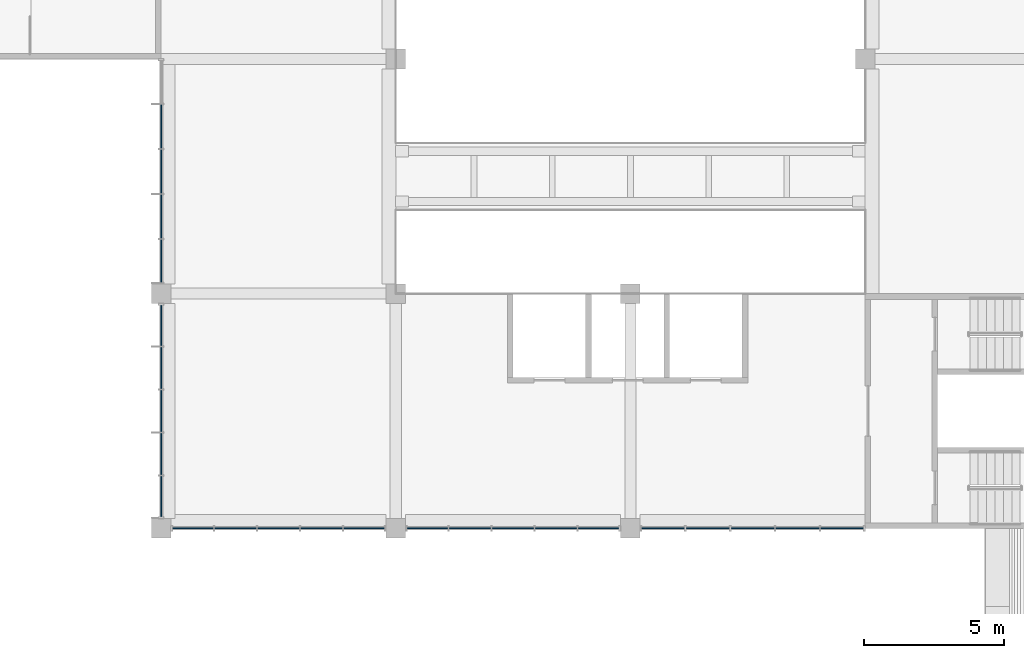
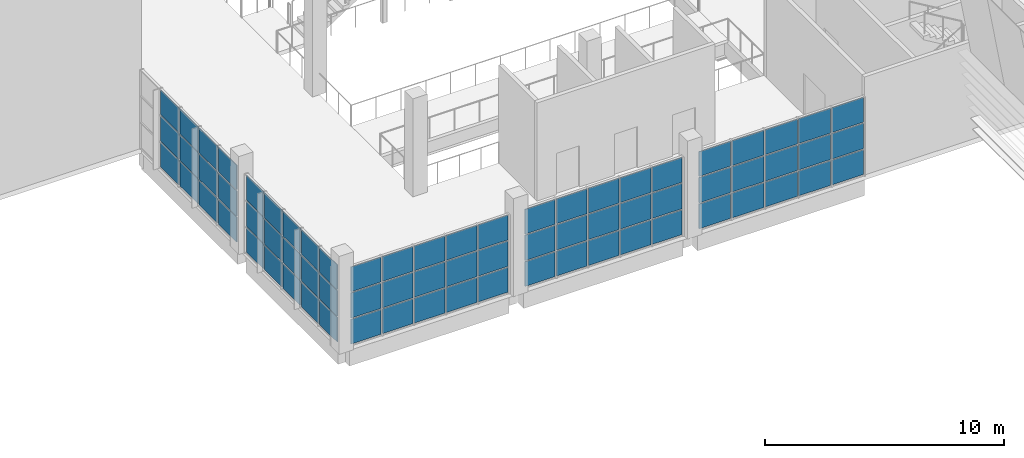
# One storey, part 13 of 82: 72 plates, 5 elements without a shape of their own.
"""IFC4 building model written with IfcOpenShell, lengths in metres."""

from ifc_helpers import new_model, si_unit, direction, frame, origin, origin_2d, place, context, subcontext, project, spatial, rectangle, extrude, material, layer, layer_set, type_object, element, aggregate, save


model = new_model("IFC4")

# Units and contexts
model_context = context("Model", 3, precision=1e-05, world=origin(), true_north=direction((0.0, 1.0)))
body_context = subcontext(model_context, "Body", "Model", "MODEL_VIEW")
ifc_project = project(units=[si_unit("LENGTHUNIT", "METRE"), si_unit("AREAUNIT", "SQUARE_METRE"), si_unit("VOLUMEUNIT", "CUBIC_METRE"), si_unit("PLANEANGLEUNIT", "RADIAN"), si_unit("MASSUNIT", "GRAM", prefix="KILO")], contexts=[model_context])

# Site, building, storey
site_placement = place(None, origin())
site = spatial("IfcSite", under=ifc_project, at=site_placement, CompositionType="ELEMENT")
building_placement = place(site_placement, origin())
building = spatial("IfcBuilding", under=site, at=building_placement, Name="Almond Square Museum", CompositionType="ELEMENT")
storey_placement = place(building_placement, frame((0.0, 0.0, 20.0)))
storey = spatial("IfcBuildingStorey", under=building, at=storey_placement, Name="L03", CompositionType="ELEMENT", Elevation=20.0)

# Curtain wall, plates
ifc_material_1 = material(Name="Aluminium and laminated glass", Category="aluminium")
curtain_wall_type = type_object("IfcCurtainWallType", Name="Unitised curtain wall 1500 module", PredefinedType="NOTDEFINED", material=ifc_material_1)
curtain_wall_1_placement = place(storey_placement, origin())
curtain_wall_1 = element("IfcCurtainWall", 1, at=curtain_wall_1_placement, inside=storey, type_object=curtain_wall_type, Name="Curtain wall CW-35", PredefinedType="NOTDEFINED")
ifc_material_2 = material(Name="Laminated hurricane-rated glass", Category="glass")
ifc_layer = layer(ifc_material_2, 0.035888671875)
ifc_layer_set = layer_set([ifc_layer], Name="Laminated hurricane-rated glass")
plate_type = type_object("IfcPlateType", Name="Laminated glass panel 36", PredefinedType="CURTAIN_PANEL", material=ifc_layer_set)
plate_1_placement = place(storey_placement, frame((73.199951171875, 76.77001953125, 0.06005859375), z_axis=(0.0, 0.0, 1.0), x_axis=(0.0, 1.0, 0.0)))
plate_1 = element("IfcPlate", 2, at=plate_1_placement, type_object=plate_type, Name="CW-35 panel 1.1", PredefinedType="CURTAIN_PANEL", context=body_context, shape_type="SweptSolid", body=[
    extrude(rectangle(XDim=1.52001953125, YDim=0.035888671875, at=origin_2d()), origin(), (0.0, 0.0, 1.0), 1.260009765625),
])
plate_2_placement = place(storey_placement, frame((73.199951171875, 76.77001953125, 1.3798828125), z_axis=(0.0, 0.0, 1.0), x_axis=(0.0, 1.0, 0.0)))
plate_2 = element("IfcPlate", 3, at=plate_2_placement, type_object=plate_type, Name="CW-35 panel 1.2", PredefinedType="CURTAIN_PANEL", context=body_context, shape_type="SweptSolid", body=[
    extrude(rectangle(XDim=1.52001953125, YDim=0.035888671875, at=origin_2d()), origin(), (0.0, 0.0, 1.0), 1.2900390625),
])
plate_3_placement = place(storey_placement, frame((73.199951171875, 76.77001953125, 2.72998046875), z_axis=(0.0, 0.0, 1.0), x_axis=(0.0, 1.0, 0.0)))
plate_3 = element("IfcPlate", 4, at=plate_3_placement, type_object=plate_type, Name="CW-35 panel 1.3", PredefinedType="CURTAIN_PANEL", context=body_context, shape_type="SweptSolid", body=[
    extrude(rectangle(XDim=1.52001953125, YDim=0.035888671875, at=origin_2d()), origin(), (0.0, 0.0, 1.0), 1.260009765625),
])
plate_4_placement = place(storey_placement, frame((73.199951171875, 78.364990234375, 0.06005859375), z_axis=(0.0, 0.0, 1.0), x_axis=(0.0, 1.0, 0.0)))
plate_4 = element("IfcPlate", 5, at=plate_4_placement, type_object=plate_type, Name="CW-35 panel 2.1", PredefinedType="CURTAIN_PANEL", context=body_context, shape_type="SweptSolid", body=[
    extrude(rectangle(XDim=1.550048828125, YDim=0.035888671875, at=origin_2d()), origin(), (0.0, 0.0, 1.0), 1.260009765625),
])
plate_5_placement = place(storey_placement, frame((73.199951171875, 78.364990234375, 1.3798828125), z_axis=(0.0, 0.0, 1.0), x_axis=(0.0, 1.0, 0.0)))
plate_5 = element("IfcPlate", 6, at=plate_5_placement, type_object=plate_type, Name="CW-35 panel 2.2", PredefinedType="CURTAIN_PANEL", context=body_context, shape_type="SweptSolid", body=[
    extrude(rectangle(XDim=1.550048828125, YDim=0.035888671875, at=origin_2d()), origin(), (0.0, 0.0, 1.0), 1.2900390625),
])
plate_6_placement = place(storey_placement, frame((73.199951171875, 78.364990234375, 2.72998046875), z_axis=(0.0, 0.0, 1.0), x_axis=(0.0, 1.0, 0.0)))
plate_6 = element("IfcPlate", 7, at=plate_6_placement, type_object=plate_type, Name="CW-35 panel 2.3", PredefinedType="CURTAIN_PANEL", context=body_context, shape_type="SweptSolid", body=[
    extrude(rectangle(XDim=1.550048828125, YDim=0.035888671875, at=origin_2d()), origin(), (0.0, 0.0, 1.0), 1.260009765625),
])
plate_7_placement = place(storey_placement, frame((73.199951171875, 79.97509765625, 0.06005859375), z_axis=(0.0, 0.0, 1.0), x_axis=(0.0, 1.0, 0.0)))
plate_7 = element("IfcPlate", 8, at=plate_7_placement, type_object=plate_type, Name="CW-35 panel 3.1", PredefinedType="CURTAIN_PANEL", context=body_context, shape_type="SweptSolid", body=[
    extrude(rectangle(XDim=1.550048828125, YDim=0.035888671875, at=origin_2d()), origin(), (0.0, 0.0, 1.0), 1.260009765625),
])
plate_8_placement = place(storey_placement, frame((73.199951171875, 79.97509765625, 1.3798828125), z_axis=(0.0, 0.0, 1.0), x_axis=(0.0, 1.0, 0.0)))
plate_8 = element("IfcPlate", 9, at=plate_8_placement, type_object=plate_type, Name="CW-35 panel 3.2", PredefinedType="CURTAIN_PANEL", context=body_context, shape_type="SweptSolid", body=[
    extrude(rectangle(XDim=1.550048828125, YDim=0.035888671875, at=origin_2d()), origin(), (0.0, 0.0, 1.0), 1.2900390625),
])
plate_9_placement = place(storey_placement, frame((73.199951171875, 79.97509765625, 2.72998046875), z_axis=(0.0, 0.0, 1.0), x_axis=(0.0, 1.0, 0.0)))
plate_9 = element("IfcPlate", 10, at=plate_9_placement, type_object=plate_type, Name="CW-35 panel 3.3", PredefinedType="CURTAIN_PANEL", context=body_context, shape_type="SweptSolid", body=[
    extrude(rectangle(XDim=1.550048828125, YDim=0.035888671875, at=origin_2d()), origin(), (0.0, 0.0, 1.0), 1.260009765625),
])
plate_10_placement = place(storey_placement, frame((73.199951171875, 81.5849609375, 0.06005859375), z_axis=(0.0, 0.0, 1.0), x_axis=(0.0, 1.0, 0.0)))
plate_10 = element("IfcPlate", 11, at=plate_10_placement, type_object=plate_type, Name="CW-35 panel 4.1", PredefinedType="CURTAIN_PANEL", context=body_context, shape_type="SweptSolid", body=[
    extrude(rectangle(XDim=1.550048828125, YDim=0.035888671875, at=origin_2d()), origin(), (0.0, 0.0, 1.0), 1.260009765625),
])
plate_11_placement = place(storey_placement, frame((73.199951171875, 81.5849609375, 1.3798828125), z_axis=(0.0, 0.0, 1.0), x_axis=(0.0, 1.0, 0.0)))
plate_11 = element("IfcPlate", 12, at=plate_11_placement, type_object=plate_type, Name="CW-35 panel 4.2", PredefinedType="CURTAIN_PANEL", context=body_context, shape_type="SweptSolid", body=[
    extrude(rectangle(XDim=1.550048828125, YDim=0.035888671875, at=origin_2d()), origin(), (0.0, 0.0, 1.0), 1.2900390625),
])
plate_12_placement = place(storey_placement, frame((73.199951171875, 81.5849609375, 2.72998046875), z_axis=(0.0, 0.0, 1.0), x_axis=(0.0, 1.0, 0.0)))
plate_12 = element("IfcPlate", 13, at=plate_12_placement, type_object=plate_type, Name="CW-35 panel 4.3", PredefinedType="CURTAIN_PANEL", context=body_context, shape_type="SweptSolid", body=[
    extrude(rectangle(XDim=1.550048828125, YDim=0.035888671875, at=origin_2d()), origin(), (0.0, 0.0, 1.0), 1.260009765625),
])
aggregate(curtain_wall_1, [plate_1, plate_2, plate_3, plate_4, plate_5, plate_6, plate_7, plate_8, plate_9, plate_10, plate_11, plate_12])

curtain_wall_2_placement = place(storey_placement, origin())
curtain_wall_2 = element("IfcCurtainWall", 14, at=curtain_wall_2_placement, inside=storey, type_object=curtain_wall_type, Name="Curtain wall CW-36", PredefinedType="NOTDEFINED")
plate_13_placement = place(storey_placement, frame((73.199951171875, 68.3349609375, 0.06005859375), z_axis=(0.0, 0.0, 1.0), x_axis=(0.0, 1.0, 0.0)))
plate_13 = element("IfcPlate", 15, at=plate_13_placement, type_object=plate_type, Name="CW-36 panel 1.1", PredefinedType="CURTAIN_PANEL", context=body_context, shape_type="SweptSolid", body=[
    extrude(rectangle(XDim=1.449951171875, YDim=0.035888671875, at=origin_2d()), origin(), (0.0, 0.0, 1.0), 1.260009765625),
])
plate_14_placement = place(storey_placement, frame((73.199951171875, 68.3349609375, 1.3798828125), z_axis=(0.0, 0.0, 1.0), x_axis=(0.0, 1.0, 0.0)))
plate_14 = element("IfcPlate", 16, at=plate_14_placement, type_object=plate_type, Name="CW-36 panel 1.2", PredefinedType="CURTAIN_PANEL", context=body_context, shape_type="SweptSolid", body=[
    extrude(rectangle(XDim=1.449951171875, YDim=0.035888671875, at=origin_2d()), origin(), (0.0, 0.0, 1.0), 1.2900390625),
])
plate_15_placement = place(storey_placement, frame((73.199951171875, 68.3349609375, 2.72998046875), z_axis=(0.0, 0.0, 1.0), x_axis=(0.0, 1.0, 0.0)))
plate_15 = element("IfcPlate", 17, at=plate_15_placement, type_object=plate_type, Name="CW-36 panel 1.3", PredefinedType="CURTAIN_PANEL", context=body_context, shape_type="SweptSolid", body=[
    extrude(rectangle(XDim=1.449951171875, YDim=0.035888671875, at=origin_2d()), origin(), (0.0, 0.0, 1.0), 1.260009765625),
])
plate_16_placement = place(storey_placement, frame((73.199951171875, 69.860107421875, 0.06005859375), z_axis=(0.0, 0.0, 1.0), x_axis=(0.0, 1.0, 0.0)))
plate_16 = element("IfcPlate", 18, at=plate_16_placement, type_object=plate_type, Name="CW-36 panel 2.1", PredefinedType="CURTAIN_PANEL", context=body_context, shape_type="SweptSolid", body=[
    extrude(rectangle(XDim=1.47998046875, YDim=0.035888671875, at=origin_2d()), origin(), (0.0, 0.0, 1.0), 1.260009765625),
])
plate_17_placement = place(storey_placement, frame((73.199951171875, 69.860107421875, 1.3798828125), z_axis=(0.0, 0.0, 1.0), x_axis=(0.0, 1.0, 0.0)))
plate_17 = element("IfcPlate", 19, at=plate_17_placement, type_object=plate_type, Name="CW-36 panel 2.2", PredefinedType="CURTAIN_PANEL", context=body_context, shape_type="SweptSolid", body=[
    extrude(rectangle(XDim=1.47998046875, YDim=0.035888671875, at=origin_2d()), origin(), (0.0, 0.0, 1.0), 1.2900390625),
])
plate_18_placement = place(storey_placement, frame((73.199951171875, 69.860107421875, 2.72998046875), z_axis=(0.0, 0.0, 1.0), x_axis=(0.0, 1.0, 0.0)))
plate_18 = element("IfcPlate", 20, at=plate_18_placement, type_object=plate_type, Name="CW-36 panel 2.3", PredefinedType="CURTAIN_PANEL", context=body_context, shape_type="SweptSolid", body=[
    extrude(rectangle(XDim=1.47998046875, YDim=0.035888671875, at=origin_2d()), origin(), (0.0, 0.0, 1.0), 1.260009765625),
])
plate_19_placement = place(storey_placement, frame((73.199951171875, 71.39990234375, 0.06005859375), z_axis=(0.0, 0.0, 1.0), x_axis=(0.0, 1.0, 0.0)))
plate_19 = element("IfcPlate", 21, at=plate_19_placement, type_object=plate_type, Name="CW-36 panel 3.1", PredefinedType="CURTAIN_PANEL", context=body_context, shape_type="SweptSolid", body=[
    extrude(rectangle(XDim=1.47998046875, YDim=0.035888671875, at=origin_2d()), origin(), (0.0, 0.0, 1.0), 1.260009765625),
])
plate_20_placement = place(storey_placement, frame((73.199951171875, 71.39990234375, 1.3798828125), z_axis=(0.0, 0.0, 1.0), x_axis=(0.0, 1.0, 0.0)))
plate_20 = element("IfcPlate", 22, at=plate_20_placement, type_object=plate_type, Name="CW-36 panel 3.2", PredefinedType="CURTAIN_PANEL", context=body_context, shape_type="SweptSolid", body=[
    extrude(rectangle(XDim=1.47998046875, YDim=0.035888671875, at=origin_2d()), origin(), (0.0, 0.0, 1.0), 1.2900390625),
])
plate_21_placement = place(storey_placement, frame((73.199951171875, 71.39990234375, 2.72998046875), z_axis=(0.0, 0.0, 1.0), x_axis=(0.0, 1.0, 0.0)))
plate_21 = element("IfcPlate", 23, at=plate_21_placement, type_object=plate_type, Name="CW-36 panel 3.3", PredefinedType="CURTAIN_PANEL", context=body_context, shape_type="SweptSolid", body=[
    extrude(rectangle(XDim=1.47998046875, YDim=0.035888671875, at=origin_2d()), origin(), (0.0, 0.0, 1.0), 1.260009765625),
])
plate_22_placement = place(storey_placement, frame((73.199951171875, 72.93994140625, 0.06005859375), z_axis=(0.0, 0.0, 1.0), x_axis=(0.0, 1.0, 0.0)))
plate_22 = element("IfcPlate", 24, at=plate_22_placement, type_object=plate_type, Name="CW-36 panel 4.1", PredefinedType="CURTAIN_PANEL", context=body_context, shape_type="SweptSolid", body=[
    extrude(rectangle(XDim=1.47998046875, YDim=0.035888671875, at=origin_2d()), origin(), (0.0, 0.0, 1.0), 1.260009765625),
])
plate_23_placement = place(storey_placement, frame((73.199951171875, 72.93994140625, 1.3798828125), z_axis=(0.0, 0.0, 1.0), x_axis=(0.0, 1.0, 0.0)))
plate_23 = element("IfcPlate", 25, at=plate_23_placement, type_object=plate_type, Name="CW-36 panel 4.2", PredefinedType="CURTAIN_PANEL", context=body_context, shape_type="SweptSolid", body=[
    extrude(rectangle(XDim=1.47998046875, YDim=0.035888671875, at=origin_2d()), origin(), (0.0, 0.0, 1.0), 1.2900390625),
])
plate_24_placement = place(storey_placement, frame((73.199951171875, 72.93994140625, 2.72998046875), z_axis=(0.0, 0.0, 1.0), x_axis=(0.0, 1.0, 0.0)))
plate_24 = element("IfcPlate", 26, at=plate_24_placement, type_object=plate_type, Name="CW-36 panel 4.3", PredefinedType="CURTAIN_PANEL", context=body_context, shape_type="SweptSolid", body=[
    extrude(rectangle(XDim=1.47998046875, YDim=0.035888671875, at=origin_2d()), origin(), (0.0, 0.0, 1.0), 1.260009765625),
])
plate_25_placement = place(storey_placement, frame((73.199951171875, 74.465087890625, 0.06005859375), z_axis=(0.0, 0.0, 1.0), x_axis=(0.0, 1.0, 0.0)))
plate_25 = element("IfcPlate", 27, at=plate_25_placement, type_object=plate_type, Name="CW-36 panel 5.1", PredefinedType="CURTAIN_PANEL", context=body_context, shape_type="SweptSolid", body=[
    extrude(rectangle(XDim=1.449951171875, YDim=0.035888671875, at=origin_2d()), origin(), (0.0, 0.0, 1.0), 1.260009765625),
])
plate_26_placement = place(storey_placement, frame((73.199951171875, 74.465087890625, 1.3798828125), z_axis=(0.0, 0.0, 1.0), x_axis=(0.0, 1.0, 0.0)))
plate_26 = element("IfcPlate", 28, at=plate_26_placement, type_object=plate_type, Name="CW-36 panel 5.2", PredefinedType="CURTAIN_PANEL", context=body_context, shape_type="SweptSolid", body=[
    extrude(rectangle(XDim=1.449951171875, YDim=0.035888671875, at=origin_2d()), origin(), (0.0, 0.0, 1.0), 1.2900390625),
])
plate_27_placement = place(storey_placement, frame((73.199951171875, 74.465087890625, 2.72998046875), z_axis=(0.0, 0.0, 1.0), x_axis=(0.0, 1.0, 0.0)))
plate_27 = element("IfcPlate", 29, at=plate_27_placement, type_object=plate_type, Name="CW-36 panel 5.3", PredefinedType="CURTAIN_PANEL", context=body_context, shape_type="SweptSolid", body=[
    extrude(rectangle(XDim=1.449951171875, YDim=0.035888671875, at=origin_2d()), origin(), (0.0, 0.0, 1.0), 1.260009765625),
])
aggregate(curtain_wall_2, [plate_13, plate_14, plate_15, plate_16, plate_17, plate_18, plate_19, plate_20, plate_21, plate_22, plate_23, plate_24, plate_25, plate_26, plate_27])

curtain_wall_3_placement = place(storey_placement, origin())
curtain_wall_3 = element("IfcCurtainWall", 30, at=curtain_wall_3_placement, inside=storey, type_object=curtain_wall_type, Name="Curtain wall CW-37", PredefinedType="NOTDEFINED")
plate_28_placement = place(storey_placement, frame((74.3349609375, 67.199951171875, 0.06005859375), z_axis=(0.0, 0.0, 1.0), x_axis=(1.0, 0.0, 0.0)))
plate_28 = element("IfcPlate", 31, at=plate_28_placement, type_object=plate_type, Name="CW-37 panel 1.1", PredefinedType="CURTAIN_PANEL", context=body_context, shape_type="SweptSolid", body=[
    extrude(rectangle(XDim=1.449951171875, YDim=0.035888671875, at=origin_2d()), origin(), (0.0, 0.0, 1.0), 1.260009765625),
])
plate_29_placement = place(storey_placement, frame((74.3349609375, 67.199951171875, 1.3798828125), z_axis=(0.0, 0.0, 1.0), x_axis=(1.0, 0.0, 0.0)))
plate_29 = element("IfcPlate", 32, at=plate_29_placement, type_object=plate_type, Name="CW-37 panel 1.2", PredefinedType="CURTAIN_PANEL", context=body_context, shape_type="SweptSolid", body=[
    extrude(rectangle(XDim=1.449951171875, YDim=0.035888671875, at=origin_2d()), origin(), (0.0, 0.0, 1.0), 1.2900390625),
])
plate_30_placement = place(storey_placement, frame((74.3349609375, 67.199951171875, 2.72998046875), z_axis=(0.0, 0.0, 1.0), x_axis=(1.0, 0.0, 0.0)))
plate_30 = element("IfcPlate", 33, at=plate_30_placement, type_object=plate_type, Name="CW-37 panel 1.3", PredefinedType="CURTAIN_PANEL", context=body_context, shape_type="SweptSolid", body=[
    extrude(rectangle(XDim=1.449951171875, YDim=0.035888671875, at=origin_2d()), origin(), (0.0, 0.0, 1.0), 1.260009765625),
])
plate_31_placement = place(storey_placement, frame((75.860107421875, 67.199951171875, 0.06005859375), z_axis=(0.0, 0.0, 1.0), x_axis=(1.0, 0.0, 0.0)))
plate_31 = element("IfcPlate", 34, at=plate_31_placement, type_object=plate_type, Name="CW-37 panel 2.1", PredefinedType="CURTAIN_PANEL", context=body_context, shape_type="SweptSolid", body=[
    extrude(rectangle(XDim=1.47998046875, YDim=0.035888671875, at=origin_2d()), origin(), (0.0, 0.0, 1.0), 1.260009765625),
])
plate_32_placement = place(storey_placement, frame((75.860107421875, 67.199951171875, 1.3798828125), z_axis=(0.0, 0.0, 1.0), x_axis=(1.0, 0.0, 0.0)))
plate_32 = element("IfcPlate", 35, at=plate_32_placement, type_object=plate_type, Name="CW-37 panel 2.2", PredefinedType="CURTAIN_PANEL", context=body_context, shape_type="SweptSolid", body=[
    extrude(rectangle(XDim=1.47998046875, YDim=0.035888671875, at=origin_2d()), origin(), (0.0, 0.0, 1.0), 1.2900390625),
])
plate_33_placement = place(storey_placement, frame((75.860107421875, 67.199951171875, 2.72998046875), z_axis=(0.0, 0.0, 1.0), x_axis=(1.0, 0.0, 0.0)))
plate_33 = element("IfcPlate", 36, at=plate_33_placement, type_object=plate_type, Name="CW-37 panel 2.3", PredefinedType="CURTAIN_PANEL", context=body_context, shape_type="SweptSolid", body=[
    extrude(rectangle(XDim=1.47998046875, YDim=0.035888671875, at=origin_2d()), origin(), (0.0, 0.0, 1.0), 1.260009765625),
])
plate_34_placement = place(storey_placement, frame((77.39990234375, 67.199951171875, 0.06005859375), z_axis=(0.0, 0.0, 1.0), x_axis=(1.0, 0.0, 0.0)))
plate_34 = element("IfcPlate", 37, at=plate_34_placement, type_object=plate_type, Name="CW-37 panel 3.1", PredefinedType="CURTAIN_PANEL", context=body_context, shape_type="SweptSolid", body=[
    extrude(rectangle(XDim=1.47998046875, YDim=0.035888671875, at=origin_2d()), origin(), (0.0, 0.0, 1.0), 1.260009765625),
])
plate_35_placement = place(storey_placement, frame((77.39990234375, 67.199951171875, 1.3798828125), z_axis=(0.0, 0.0, 1.0), x_axis=(1.0, 0.0, 0.0)))
plate_35 = element("IfcPlate", 38, at=plate_35_placement, type_object=plate_type, Name="CW-37 panel 3.2", PredefinedType="CURTAIN_PANEL", context=body_context, shape_type="SweptSolid", body=[
    extrude(rectangle(XDim=1.47998046875, YDim=0.035888671875, at=origin_2d()), origin(), (0.0, 0.0, 1.0), 1.2900390625),
])
plate_36_placement = place(storey_placement, frame((77.39990234375, 67.199951171875, 2.72998046875), z_axis=(0.0, 0.0, 1.0), x_axis=(1.0, 0.0, 0.0)))
plate_36 = element("IfcPlate", 39, at=plate_36_placement, type_object=plate_type, Name="CW-37 panel 3.3", PredefinedType="CURTAIN_PANEL", context=body_context, shape_type="SweptSolid", body=[
    extrude(rectangle(XDim=1.47998046875, YDim=0.035888671875, at=origin_2d()), origin(), (0.0, 0.0, 1.0), 1.260009765625),
])
plate_37_placement = place(storey_placement, frame((78.93994140625, 67.199951171875, 0.06005859375), z_axis=(0.0, 0.0, 1.0), x_axis=(1.0, 0.0, 0.0)))
plate_37 = element("IfcPlate", 40, at=plate_37_placement, type_object=plate_type, Name="CW-37 panel 4.1", PredefinedType="CURTAIN_PANEL", context=body_context, shape_type="SweptSolid", body=[
    extrude(rectangle(XDim=1.47998046875, YDim=0.035888671875, at=origin_2d()), origin(), (0.0, 0.0, 1.0), 1.260009765625),
])
plate_38_placement = place(storey_placement, frame((78.93994140625, 67.199951171875, 1.3798828125), z_axis=(0.0, 0.0, 1.0), x_axis=(1.0, 0.0, 0.0)))
plate_38 = element("IfcPlate", 41, at=plate_38_placement, type_object=plate_type, Name="CW-37 panel 4.2", PredefinedType="CURTAIN_PANEL", context=body_context, shape_type="SweptSolid", body=[
    extrude(rectangle(XDim=1.47998046875, YDim=0.035888671875, at=origin_2d()), origin(), (0.0, 0.0, 1.0), 1.2900390625),
])
plate_39_placement = place(storey_placement, frame((78.93994140625, 67.199951171875, 2.72998046875), z_axis=(0.0, 0.0, 1.0), x_axis=(1.0, 0.0, 0.0)))
plate_39 = element("IfcPlate", 42, at=plate_39_placement, type_object=plate_type, Name="CW-37 panel 4.3", PredefinedType="CURTAIN_PANEL", context=body_context, shape_type="SweptSolid", body=[
    extrude(rectangle(XDim=1.47998046875, YDim=0.035888671875, at=origin_2d()), origin(), (0.0, 0.0, 1.0), 1.260009765625),
])
plate_40_placement = place(storey_placement, frame((80.465087890625, 67.199951171875, 0.06005859375), z_axis=(0.0, 0.0, 1.0), x_axis=(1.0, 0.0, 0.0)))
plate_40 = element("IfcPlate", 43, at=plate_40_placement, type_object=plate_type, Name="CW-37 panel 5.1", PredefinedType="CURTAIN_PANEL", context=body_context, shape_type="SweptSolid", body=[
    extrude(rectangle(XDim=1.449951171875, YDim=0.035888671875, at=origin_2d()), origin(), (0.0, 0.0, 1.0), 1.260009765625),
])
plate_41_placement = place(storey_placement, frame((80.465087890625, 67.199951171875, 1.3798828125), z_axis=(0.0, 0.0, 1.0), x_axis=(1.0, 0.0, 0.0)))
plate_41 = element("IfcPlate", 44, at=plate_41_placement, type_object=plate_type, Name="CW-37 panel 5.2", PredefinedType="CURTAIN_PANEL", context=body_context, shape_type="SweptSolid", body=[
    extrude(rectangle(XDim=1.449951171875, YDim=0.035888671875, at=origin_2d()), origin(), (0.0, 0.0, 1.0), 1.2900390625),
])
plate_42_placement = place(storey_placement, frame((80.465087890625, 67.199951171875, 2.72998046875), z_axis=(0.0, 0.0, 1.0), x_axis=(1.0, 0.0, 0.0)))
plate_42 = element("IfcPlate", 45, at=plate_42_placement, type_object=plate_type, Name="CW-37 panel 5.3", PredefinedType="CURTAIN_PANEL", context=body_context, shape_type="SweptSolid", body=[
    extrude(rectangle(XDim=1.449951171875, YDim=0.035888671875, at=origin_2d()), origin(), (0.0, 0.0, 1.0), 1.260009765625),
])
aggregate(curtain_wall_3, [plate_28, plate_29, plate_30, plate_31, plate_32, plate_33, plate_34, plate_35, plate_36, plate_37, plate_38, plate_39, plate_40, plate_41, plate_42])

curtain_wall_4_placement = place(storey_placement, origin())
curtain_wall_4 = element("IfcCurtainWall", 46, at=curtain_wall_4_placement, inside=storey, type_object=curtain_wall_type, Name="Curtain wall CW-38", PredefinedType="NOTDEFINED")
plate_43_placement = place(storey_placement, frame((82.735107421875, 67.199951171875, 0.06005859375), z_axis=(0.0, 0.0, 1.0), x_axis=(1.0, 0.0, 0.0)))
plate_43 = element("IfcPlate", 47, at=plate_43_placement, type_object=plate_type, Name="CW-38 panel 1.1", PredefinedType="CURTAIN_PANEL", context=body_context, shape_type="SweptSolid", body=[
    extrude(rectangle(XDim=1.449951171875, YDim=0.035888671875, at=origin_2d()), origin(), (0.0, 0.0, 1.0), 1.260009765625),
])
plate_44_placement = place(storey_placement, frame((82.735107421875, 67.199951171875, 1.3798828125), z_axis=(0.0, 0.0, 1.0), x_axis=(1.0, 0.0, 0.0)))
plate_44 = element("IfcPlate", 48, at=plate_44_placement, type_object=plate_type, Name="CW-38 panel 1.2", PredefinedType="CURTAIN_PANEL", context=body_context, shape_type="SweptSolid", body=[
    extrude(rectangle(XDim=1.449951171875, YDim=0.035888671875, at=origin_2d()), origin(), (0.0, 0.0, 1.0), 1.2900390625),
])
plate_45_placement = place(storey_placement, frame((82.735107421875, 67.199951171875, 2.72998046875), z_axis=(0.0, 0.0, 1.0), x_axis=(1.0, 0.0, 0.0)))
plate_45 = element("IfcPlate", 49, at=plate_45_placement, type_object=plate_type, Name="CW-38 panel 1.3", PredefinedType="CURTAIN_PANEL", context=body_context, shape_type="SweptSolid", body=[
    extrude(rectangle(XDim=1.449951171875, YDim=0.035888671875, at=origin_2d()), origin(), (0.0, 0.0, 1.0), 1.260009765625),
])
plate_46_placement = place(storey_placement, frame((84.260009765625, 67.199951171875, 0.06005859375), z_axis=(0.0, 0.0, 1.0), x_axis=(1.0, 0.0, 0.0)))
plate_46 = element("IfcPlate", 50, at=plate_46_placement, type_object=plate_type, Name="CW-38 panel 2.1", PredefinedType="CURTAIN_PANEL", context=body_context, shape_type="SweptSolid", body=[
    extrude(rectangle(XDim=1.47998046875, YDim=0.035888671875, at=origin_2d()), origin(), (0.0, 0.0, 1.0), 1.260009765625),
])
plate_47_placement = place(storey_placement, frame((84.260009765625, 67.199951171875, 1.3798828125), z_axis=(0.0, 0.0, 1.0), x_axis=(1.0, 0.0, 0.0)))
plate_47 = element("IfcPlate", 51, at=plate_47_placement, type_object=plate_type, Name="CW-38 panel 2.2", PredefinedType="CURTAIN_PANEL", context=body_context, shape_type="SweptSolid", body=[
    extrude(rectangle(XDim=1.47998046875, YDim=0.035888671875, at=origin_2d()), origin(), (0.0, 0.0, 1.0), 1.2900390625),
])
plate_48_placement = place(storey_placement, frame((84.260009765625, 67.199951171875, 2.72998046875), z_axis=(0.0, 0.0, 1.0), x_axis=(1.0, 0.0, 0.0)))
plate_48 = element("IfcPlate", 52, at=plate_48_placement, type_object=plate_type, Name="CW-38 panel 2.3", PredefinedType="CURTAIN_PANEL", context=body_context, shape_type="SweptSolid", body=[
    extrude(rectangle(XDim=1.47998046875, YDim=0.035888671875, at=origin_2d()), origin(), (0.0, 0.0, 1.0), 1.260009765625),
])
plate_49_placement = place(storey_placement, frame((85.800048828125, 67.199951171875, 0.06005859375), z_axis=(0.0, 0.0, 1.0), x_axis=(1.0, 0.0, 0.0)))
plate_49 = element("IfcPlate", 53, at=plate_49_placement, type_object=plate_type, Name="CW-38 panel 3.1", PredefinedType="CURTAIN_PANEL", context=body_context, shape_type="SweptSolid", body=[
    extrude(rectangle(XDim=1.47998046875, YDim=0.035888671875, at=origin_2d()), origin(), (0.0, 0.0, 1.0), 1.260009765625),
])
plate_50_placement = place(storey_placement, frame((85.800048828125, 67.199951171875, 1.3798828125), z_axis=(0.0, 0.0, 1.0), x_axis=(1.0, 0.0, 0.0)))
plate_50 = element("IfcPlate", 54, at=plate_50_placement, type_object=plate_type, Name="CW-38 panel 3.2", PredefinedType="CURTAIN_PANEL", context=body_context, shape_type="SweptSolid", body=[
    extrude(rectangle(XDim=1.47998046875, YDim=0.035888671875, at=origin_2d()), origin(), (0.0, 0.0, 1.0), 1.2900390625),
])
plate_51_placement = place(storey_placement, frame((85.800048828125, 67.199951171875, 2.72998046875), z_axis=(0.0, 0.0, 1.0), x_axis=(1.0, 0.0, 0.0)))
plate_51 = element("IfcPlate", 55, at=plate_51_placement, type_object=plate_type, Name="CW-38 panel 3.3", PredefinedType="CURTAIN_PANEL", context=body_context, shape_type="SweptSolid", body=[
    extrude(rectangle(XDim=1.47998046875, YDim=0.035888671875, at=origin_2d()), origin(), (0.0, 0.0, 1.0), 1.260009765625),
])
plate_52_placement = place(storey_placement, frame((87.340087890625, 67.199951171875, 0.06005859375), z_axis=(0.0, 0.0, 1.0), x_axis=(1.0, 0.0, 0.0)))
plate_52 = element("IfcPlate", 56, at=plate_52_placement, type_object=plate_type, Name="CW-38 panel 4.1", PredefinedType="CURTAIN_PANEL", context=body_context, shape_type="SweptSolid", body=[
    extrude(rectangle(XDim=1.47998046875, YDim=0.035888671875, at=origin_2d()), origin(), (0.0, 0.0, 1.0), 1.260009765625),
])
plate_53_placement = place(storey_placement, frame((87.340087890625, 67.199951171875, 1.3798828125), z_axis=(0.0, 0.0, 1.0), x_axis=(1.0, 0.0, 0.0)))
plate_53 = element("IfcPlate", 57, at=plate_53_placement, type_object=plate_type, Name="CW-38 panel 4.2", PredefinedType="CURTAIN_PANEL", context=body_context, shape_type="SweptSolid", body=[
    extrude(rectangle(XDim=1.47998046875, YDim=0.035888671875, at=origin_2d()), origin(), (0.0, 0.0, 1.0), 1.2900390625),
])
plate_54_placement = place(storey_placement, frame((87.340087890625, 67.199951171875, 2.72998046875), z_axis=(0.0, 0.0, 1.0), x_axis=(1.0, 0.0, 0.0)))
plate_54 = element("IfcPlate", 58, at=plate_54_placement, type_object=plate_type, Name="CW-38 panel 4.3", PredefinedType="CURTAIN_PANEL", context=body_context, shape_type="SweptSolid", body=[
    extrude(rectangle(XDim=1.47998046875, YDim=0.035888671875, at=origin_2d()), origin(), (0.0, 0.0, 1.0), 1.260009765625),
])
plate_55_placement = place(storey_placement, frame((88.864990234375, 67.199951171875, 0.06005859375), z_axis=(0.0, 0.0, 1.0), x_axis=(1.0, 0.0, 0.0)))
plate_55 = element("IfcPlate", 59, at=plate_55_placement, type_object=plate_type, Name="CW-38 panel 5.1", PredefinedType="CURTAIN_PANEL", context=body_context, shape_type="SweptSolid", body=[
    extrude(rectangle(XDim=1.449951171875, YDim=0.035888671875, at=origin_2d()), origin(), (0.0, 0.0, 1.0), 1.260009765625),
])
plate_56_placement = place(storey_placement, frame((88.864990234375, 67.199951171875, 1.3798828125), z_axis=(0.0, 0.0, 1.0), x_axis=(1.0, 0.0, 0.0)))
plate_56 = element("IfcPlate", 60, at=plate_56_placement, type_object=plate_type, Name="CW-38 panel 5.2", PredefinedType="CURTAIN_PANEL", context=body_context, shape_type="SweptSolid", body=[
    extrude(rectangle(XDim=1.449951171875, YDim=0.035888671875, at=origin_2d()), origin(), (0.0, 0.0, 1.0), 1.2900390625),
])
plate_57_placement = place(storey_placement, frame((88.864990234375, 67.199951171875, 2.72998046875), z_axis=(0.0, 0.0, 1.0), x_axis=(1.0, 0.0, 0.0)))
plate_57 = element("IfcPlate", 61, at=plate_57_placement, type_object=plate_type, Name="CW-38 panel 5.3", PredefinedType="CURTAIN_PANEL", context=body_context, shape_type="SweptSolid", body=[
    extrude(rectangle(XDim=1.449951171875, YDim=0.035888671875, at=origin_2d()), origin(), (0.0, 0.0, 1.0), 1.260009765625),
])
aggregate(curtain_wall_4, [plate_43, plate_44, plate_45, plate_46, plate_47, plate_48, plate_49, plate_50, plate_51, plate_52, plate_53, plate_54, plate_55, plate_56, plate_57])

curtain_wall_5_placement = place(storey_placement, origin())
curtain_wall_5 = element("IfcCurtainWall", 62, at=curtain_wall_5_placement, inside=storey, type_object=curtain_wall_type, Name="Curtain wall CW-39", PredefinedType="NOTDEFINED")
plate_58_placement = place(storey_placement, frame((91.169921875, 67.199951171875, 0.06005859375), z_axis=(0.0, 0.0, 1.0), x_axis=(1.0, 0.0, 0.0)))
plate_58 = element("IfcPlate", 63, at=plate_58_placement, type_object=plate_type, Name="CW-39 panel 1.1", PredefinedType="CURTAIN_PANEL", context=body_context, shape_type="SweptSolid", body=[
    extrude(rectangle(XDim=1.52001953125, YDim=0.035888671875, at=origin_2d()), origin(), (0.0, 0.0, 1.0), 1.260009765625),
])
plate_59_placement = place(storey_placement, frame((91.169921875, 67.199951171875, 1.3798828125), z_axis=(0.0, 0.0, 1.0), x_axis=(1.0, 0.0, 0.0)))
plate_59 = element("IfcPlate", 64, at=plate_59_placement, type_object=plate_type, Name="CW-39 panel 1.2", PredefinedType="CURTAIN_PANEL", context=body_context, shape_type="SweptSolid", body=[
    extrude(rectangle(XDim=1.52001953125, YDim=0.035888671875, at=origin_2d()), origin(), (0.0, 0.0, 1.0), 1.2900390625),
])
plate_60_placement = place(storey_placement, frame((91.169921875, 67.199951171875, 2.72998046875), z_axis=(0.0, 0.0, 1.0), x_axis=(1.0, 0.0, 0.0)))
plate_60 = element("IfcPlate", 65, at=plate_60_placement, type_object=plate_type, Name="CW-39 panel 1.3", PredefinedType="CURTAIN_PANEL", context=body_context, shape_type="SweptSolid", body=[
    extrude(rectangle(XDim=1.52001953125, YDim=0.035888671875, at=origin_2d()), origin(), (0.0, 0.0, 1.0), 1.260009765625),
])
plate_61_placement = place(storey_placement, frame((92.764892578125, 67.199951171875, 0.06005859375), z_axis=(0.0, 0.0, 1.0), x_axis=(1.0, 0.0, 0.0)))
plate_61 = element("IfcPlate", 66, at=plate_61_placement, type_object=plate_type, Name="CW-39 panel 2.1", PredefinedType="CURTAIN_PANEL", context=body_context, shape_type="SweptSolid", body=[
    extrude(rectangle(XDim=1.550048828125, YDim=0.035888671875, at=origin_2d()), origin(), (0.0, 0.0, 1.0), 1.260009765625),
])
plate_62_placement = place(storey_placement, frame((92.764892578125, 67.199951171875, 1.3798828125), z_axis=(0.0, 0.0, 1.0), x_axis=(1.0, 0.0, 0.0)))
plate_62 = element("IfcPlate", 67, at=plate_62_placement, type_object=plate_type, Name="CW-39 panel 2.2", PredefinedType="CURTAIN_PANEL", context=body_context, shape_type="SweptSolid", body=[
    extrude(rectangle(XDim=1.550048828125, YDim=0.035888671875, at=origin_2d()), origin(), (0.0, 0.0, 1.0), 1.2900390625),
])
plate_63_placement = place(storey_placement, frame((92.764892578125, 67.199951171875, 2.72998046875), z_axis=(0.0, 0.0, 1.0), x_axis=(1.0, 0.0, 0.0)))
plate_63 = element("IfcPlate", 68, at=plate_63_placement, type_object=plate_type, Name="CW-39 panel 2.3", PredefinedType="CURTAIN_PANEL", context=body_context, shape_type="SweptSolid", body=[
    extrude(rectangle(XDim=1.550048828125, YDim=0.035888671875, at=origin_2d()), origin(), (0.0, 0.0, 1.0), 1.260009765625),
])
plate_64_placement = place(storey_placement, frame((94.375, 67.199951171875, 0.06005859375), z_axis=(0.0, 0.0, 1.0), x_axis=(1.0, 0.0, 0.0)))
plate_64 = element("IfcPlate", 69, at=plate_64_placement, type_object=plate_type, Name="CW-39 panel 3.1", PredefinedType="CURTAIN_PANEL", context=body_context, shape_type="SweptSolid", body=[
    extrude(rectangle(XDim=1.550048828125, YDim=0.035888671875, at=origin_2d()), origin(), (0.0, 0.0, 1.0), 1.260009765625),
])
plate_65_placement = place(storey_placement, frame((94.375, 67.199951171875, 1.3798828125), z_axis=(0.0, 0.0, 1.0), x_axis=(1.0, 0.0, 0.0)))
plate_65 = element("IfcPlate", 70, at=plate_65_placement, type_object=plate_type, Name="CW-39 panel 3.2", PredefinedType="CURTAIN_PANEL", context=body_context, shape_type="SweptSolid", body=[
    extrude(rectangle(XDim=1.550048828125, YDim=0.035888671875, at=origin_2d()), origin(), (0.0, 0.0, 1.0), 1.2900390625),
])
plate_66_placement = place(storey_placement, frame((94.375, 67.199951171875, 2.72998046875), z_axis=(0.0, 0.0, 1.0), x_axis=(1.0, 0.0, 0.0)))
plate_66 = element("IfcPlate", 71, at=plate_66_placement, type_object=plate_type, Name="CW-39 panel 3.3", PredefinedType="CURTAIN_PANEL", context=body_context, shape_type="SweptSolid", body=[
    extrude(rectangle(XDim=1.550048828125, YDim=0.035888671875, at=origin_2d()), origin(), (0.0, 0.0, 1.0), 1.260009765625),
])
plate_67_placement = place(storey_placement, frame((95.985107421875, 67.199951171875, 0.06005859375), z_axis=(0.0, 0.0, 1.0), x_axis=(1.0, 0.0, 0.0)))
plate_67 = element("IfcPlate", 72, at=plate_67_placement, type_object=plate_type, Name="CW-39 panel 4.1", PredefinedType="CURTAIN_PANEL", context=body_context, shape_type="SweptSolid", body=[
    extrude(rectangle(XDim=1.550048828125, YDim=0.035888671875, at=origin_2d()), origin(), (0.0, 0.0, 1.0), 1.260009765625),
])
plate_68_placement = place(storey_placement, frame((95.985107421875, 67.199951171875, 1.3798828125), z_axis=(0.0, 0.0, 1.0), x_axis=(1.0, 0.0, 0.0)))
plate_68 = element("IfcPlate", 73, at=plate_68_placement, type_object=plate_type, Name="CW-39 panel 4.2", PredefinedType="CURTAIN_PANEL", context=body_context, shape_type="SweptSolid", body=[
    extrude(rectangle(XDim=1.550048828125, YDim=0.035888671875, at=origin_2d()), origin(), (0.0, 0.0, 1.0), 1.2900390625),
])
plate_69_placement = place(storey_placement, frame((95.985107421875, 67.199951171875, 2.72998046875), z_axis=(0.0, 0.0, 1.0), x_axis=(1.0, 0.0, 0.0)))
plate_69 = element("IfcPlate", 74, at=plate_69_placement, type_object=plate_type, Name="CW-39 panel 4.3", PredefinedType="CURTAIN_PANEL", context=body_context, shape_type="SweptSolid", body=[
    extrude(rectangle(XDim=1.550048828125, YDim=0.035888671875, at=origin_2d()), origin(), (0.0, 0.0, 1.0), 1.260009765625),
])
plate_70_placement = place(storey_placement, frame((97.580078125, 67.199951171875, 0.06005859375), z_axis=(0.0, 0.0, 1.0), x_axis=(1.0, 0.0, 0.0)))
plate_70 = element("IfcPlate", 75, at=plate_70_placement, type_object=plate_type, Name="CW-39 panel 5.1", PredefinedType="CURTAIN_PANEL", context=body_context, shape_type="SweptSolid", body=[
    extrude(rectangle(XDim=1.52001953125, YDim=0.035888671875, at=origin_2d()), origin(), (0.0, 0.0, 1.0), 1.260009765625),
])
plate_71_placement = place(storey_placement, frame((97.580078125, 67.199951171875, 1.3798828125), z_axis=(0.0, 0.0, 1.0), x_axis=(1.0, 0.0, 0.0)))
plate_71 = element("IfcPlate", 76, at=plate_71_placement, type_object=plate_type, Name="CW-39 panel 5.2", PredefinedType="CURTAIN_PANEL", context=body_context, shape_type="SweptSolid", body=[
    extrude(rectangle(XDim=1.52001953125, YDim=0.035888671875, at=origin_2d()), origin(), (0.0, 0.0, 1.0), 1.2900390625),
])
plate_72_placement = place(storey_placement, frame((97.580078125, 67.199951171875, 2.72998046875), z_axis=(0.0, 0.0, 1.0), x_axis=(1.0, 0.0, 0.0)))
plate_72 = element("IfcPlate", 77, at=plate_72_placement, type_object=plate_type, Name="CW-39 panel 5.3", PredefinedType="CURTAIN_PANEL", context=body_context, shape_type="SweptSolid", body=[
    extrude(rectangle(XDim=1.52001953125, YDim=0.035888671875, at=origin_2d()), origin(), (0.0, 0.0, 1.0), 1.260009765625),
])
aggregate(curtain_wall_5, [plate_58, plate_59, plate_60, plate_61, plate_62, plate_63, plate_64, plate_65, plate_66, plate_67, plate_68, plate_69, plate_70, plate_71, plate_72])

save(model, "model.ifc")
